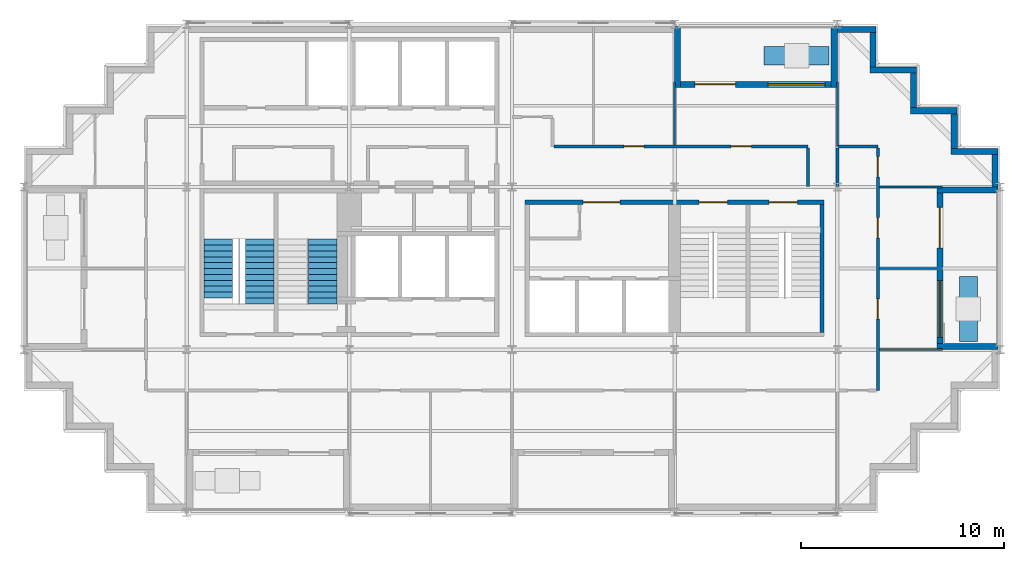
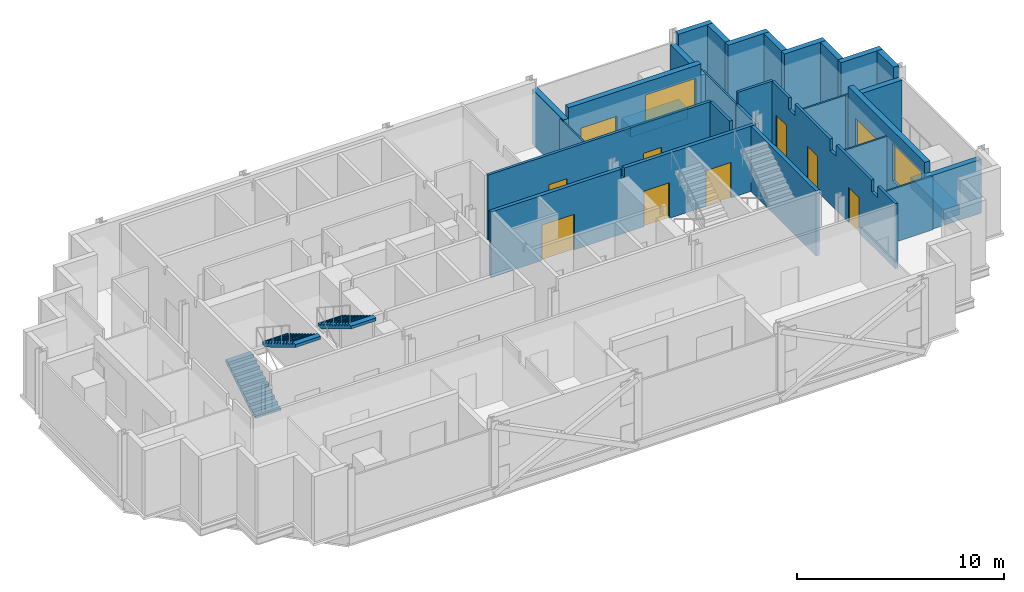
# One storey, part 7 of 10: 28 walls, 10 doors, 3 stair flights, 2 windows, 12 openings, 2 elements without a shape of their own.
"""IFC4 building model written with IfcOpenShell, lengths in metres."""

from ifc_helpers import new_model, si_unit, direction, frame, frame_2d, origin, place, context, subcontext, project, spatial, polyline, rectangle, outline, extrude, material, layer, layer_set, type_object, element, fill, aggregate, save


model = new_model("IFC4")

# Units and contexts
model_context = context("Model", 3, precision=1e-05, world=origin(), true_north=direction((0.0, 1.0)))
body_context = subcontext(model_context, "Body", "Model", "MODEL_VIEW")
ifc_project = project(units=[si_unit("LENGTHUNIT", "METRE"), si_unit("AREAUNIT", "SQUARE_METRE"), si_unit("VOLUMEUNIT", "CUBIC_METRE"), si_unit("PLANEANGLEUNIT", "RADIAN"), si_unit("MASSUNIT", "GRAM", prefix="KILO")], contexts=[model_context])

# Site, building, storey
site_placement = place(None, origin())
site = spatial("IfcSite", under=ifc_project, at=site_placement, CompositionType="ELEMENT")
building_placement = place(site_placement, origin())
building = spatial("IfcBuilding", under=site, at=building_placement, Name="Immortelle Media Tower", CompositionType="ELEMENT")
storey_placement = place(building_placement, frame((0.0, 0.0, 217.0)))
storey = spatial("IfcBuildingStorey", under=building, at=storey_placement, Name="L46", CompositionType="ELEMENT", Elevation=217.0)

# Wall, openings, doors
ifc_material_1 = material(Name="Fire-rated gypsum board", Category="gypsum")
ifc_layer_1 = layer(ifc_material_1, 0.012451171875)
ifc_material_2 = material(Name="Steel ASTM A653 SS Gr 50 stud frame with mineral wool", Category="steel")
ifc_layer_2 = layer(ifc_material_2, 0.125)
ifc_layer_3 = layer(ifc_material_1, 0.012451171875)
ifc_layer_set_1 = layer_set([ifc_layer_1, ifc_layer_2, ifc_layer_3], Name="Steel ASTM A653 SS Gr 50 stud frame with mineral wool")
wall_type_1 = type_object("IfcWallType", Name="Corridor wall 150", PredefinedType="PARTITIONING", material=ifc_layer_set_1)
wall_1_placement = place(storey_placement, frame((42.0, 6.0, 0.0), z_axis=(0.0, 0.0, 1.0), x_axis=(0.0, 1.0, 0.0)))
wall_1 = element("IfcWall", 1, at=wall_1_placement, inside=storey, type_object=wall_type_1, Name="Partition L46-009", PredefinedType="PARTITIONING", context=body_context, shape_type="SweptSolid", body=[
    extrude(outline(polyline([(0.0, 0.0), (11.925048828125, 0.0), (11.925048828125, 3.85009765625), (10.300048828125, 3.85009765625), (10.298095703125, 3.172119140625), (9.701904296875, 3.172119140625), (9.699951171875, 3.85009765625), (6.300048828125, 3.85009765625), (6.298095703125, 3.172119140625), (5.701904296875, 3.172119140625), (5.699951171875, 3.85009765625), (2.300048828125, 3.85009765625), (2.298095703125, 3.172119140625), (1.701904296875, 3.172119140625), (1.699951171875, 3.85009765625), (0.0, 3.85009765625), (0.0, 0.0)])), frame((0.0, 0.074951171875, 0.0), z_axis=(0.0, -1.0, 0.0), x_axis=(1.0, 0.0, 0.0)), (0.0, 0.0, 1.0), 0.14990234375),
])
opening_1_placement = place(wall_1_placement, frame((4.5, 0.0, 0.0), z_axis=(0.0, 0.0, 1.0), x_axis=(-1.0, 0.0, 0.0)))
opening_1 = element("IfcOpeningElement", 2, at=opening_1_placement, cuts=wall_1, Name="Opening O4-F010", PredefinedType="OPENING", context=body_context, shape_type="SweptSolid", body=[
    extrude(rectangle(XDim=1.0, YDim=2.10009765625, at=frame_2d((0.5, 1.050048828125))), frame((0.0, 0.0849609375, 0.0), z_axis=(0.0, -1.0, 0.0), x_axis=(1.0, 0.0, 0.0)), (0.0, 0.0, 1.0), 0.169921875),
])
opening_2_placement = place(wall_1_placement, frame((8.5, 0.0, 0.0), z_axis=(0.0, 0.0, 1.0), x_axis=(-1.0, 0.0, 0.0)))
opening_2 = element("IfcOpeningElement", 3, at=opening_2_placement, cuts=wall_1, Name="Opening O4-F011", PredefinedType="OPENING", context=body_context, shape_type="SweptSolid", body=[
    extrude(rectangle(XDim=1.0, YDim=2.10009765625, at=frame_2d((0.5, 1.050048828125))), frame((0.0, 0.0849609375, 0.0), z_axis=(0.0, -1.0, 0.0), x_axis=(1.0, 0.0, 0.0)), (0.0, 0.0, 1.0), 0.169921875),
])
opening_3_placement = place(wall_1_placement, frame((11.5, 0.0, 0.0), z_axis=(0.0, 0.0, 1.0), x_axis=(-1.0, 0.0, 0.0)))
opening_3 = element("IfcOpeningElement", 4, at=opening_3_placement, cuts=wall_1, Name="Opening O4-F014", PredefinedType="OPENING", context=body_context, shape_type="SweptSolid", body=[
    extrude(rectangle(XDim=1.0, YDim=2.10009765625, at=frame_2d((0.5, 1.050048828125))), frame((0.0, 0.0849609375, 0.0), z_axis=(0.0, -1.0, 0.0), x_axis=(1.0, 0.0, 0.0)), (0.0, 0.0, 1.0), 0.169921875),
])
ifc_material_3 = material(Name="Timber veneered door leaf, galvanised steel frame ASTM A653", Category="steel")
door_type_1 = type_object("IfcDoorType", Name="Room door 1000 x 2100", OperationType="NOTDEFINED", PredefinedType="DOOR", material=ifc_material_3)
door_1_placement = place(opening_1_placement, origin())
door_1 = element("IfcDoor", 5, at=door_1_placement, inside=storey, type_object=door_type_1, Name="Door O4-F010", OperationType="SINGLE_SWING_LEFT", OverallHeight=2.10009765625, OverallWidth=1.0, PredefinedType="DOOR", context=body_context, shape_type="SweptSolid", body=[
    extrude(rectangle(XDim=1.0, YDim=2.10009765625, at=frame_2d((0.5, 1.050048828125))), frame((0.0, 0.02490234375, 0.0), z_axis=(0.0, -1.0, 0.0), x_axis=(1.0, 0.0, 0.0)), (0.0, 0.0, 1.0), 0.050048828125),
])
fill(opening_1, door_1)
door_2_placement = place(opening_2_placement, origin())
door_2 = element("IfcDoor", 6, at=door_2_placement, inside=storey, type_object=door_type_1, Name="Door O4-F011", OperationType="SINGLE_SWING_RIGHT", OverallHeight=2.10009765625, OverallWidth=1.0, PredefinedType="DOOR", context=body_context, shape_type="SweptSolid", body=[
    extrude(rectangle(XDim=1.0, YDim=2.10009765625, at=frame_2d((0.5, 1.050048828125))), frame((0.0, 0.02490234375, 0.0), z_axis=(0.0, -1.0, 0.0), x_axis=(1.0, 0.0, 0.0)), (0.0, 0.0, 1.0), 0.050048828125),
])
fill(opening_2, door_2)
door_3_placement = place(opening_3_placement, origin())
door_3 = element("IfcDoor", 7, at=door_3_placement, inside=storey, type_object=door_type_1, Name="Door O4-F014", OperationType="SINGLE_SWING_RIGHT", OverallHeight=2.10009765625, OverallWidth=1.0, PredefinedType="DOOR", context=body_context, shape_type="SweptSolid", body=[
    extrude(rectangle(XDim=1.0, YDim=2.10009765625, at=frame_2d((0.5, 1.050048828125))), frame((0.0, 0.02490234375, 0.0), z_axis=(0.0, -1.0, 0.0), x_axis=(1.0, 0.0, 0.0)), (0.0, 0.0, 1.0), 0.050048828125),
])
fill(opening_3, door_3)

# Walls
wall_2_placement = place(storey_placement, frame((38.550048828125, 16.030029296875, 0.0), z_axis=(0.0, 0.0, 1.0), x_axis=(0.0, 1.0, 0.0)))
element("IfcWall", 8, at=wall_2_placement, inside=storey, type_object=wall_type_1, Name="Partition L46-018", PredefinedType="PARTITIONING", context=body_context, shape_type="SweptSolid", body=[
    extrude(rectangle(XDim=1.89501953125, YDim=0.14990234375, at=frame_2d((0.947509765625, 0.0))), origin(), (0.0, 0.0, 1.0), 3.85009765625),
])
wall_3_placement = place(storey_placement, frame((40.0, 16.030029296875, 0.0), z_axis=(0.0, 0.0, 1.0), x_axis=(0.0, 1.0, 0.0)))
element("IfcWall", 9, at=wall_3_placement, inside=storey, type_object=wall_type_1, Name="Partition L46-019", PredefinedType="PARTITIONING", context=body_context, shape_type="SweptSolid", body=[
    extrude(rectangle(XDim=1.89501953125, YDim=0.14990234375, at=frame_2d((0.947509765625, 0.0))), origin(), (0.0, 0.0, 1.0), 3.172119140625),
])

# Wall, openings, doors
wall_4_placement = place(storey_placement, frame((26.074951171875, 18.0, 0.0), z_axis=(0.0, 0.0, 1.0), x_axis=(1.0, 0.0, 0.0)))
wall_4 = element("IfcWall", 10, at=wall_4_placement, inside=storey, type_object=wall_type_1, Name="Partition L46-020", PredefinedType="PARTITIONING", context=body_context, shape_type="SweptSolid", body=[
    extrude(rectangle(XDim=12.47509765625, YDim=0.14990234375, at=frame_2d((6.237548828125, 0.0))), origin(), (0.0, 0.0, 1.0), 3.85009765625),
])
opening_4_placement = place(wall_4_placement, frame((8.699951171875, 0.0, 0.0)))
opening_4 = element("IfcOpeningElement", 11, at=opening_4_placement, cuts=wall_4, Name="Opening O4-F015", PredefinedType="OPENING", context=body_context, shape_type="SweptSolid", body=[
    extrude(rectangle(XDim=1.0, YDim=2.10009765625, at=frame_2d((0.5, 1.050048828125))), frame((0.0, 0.0849609375, 0.0), z_axis=(0.0, -1.0, 0.0), x_axis=(1.0, 0.0, 0.0)), (0.0, 0.0, 1.0), 0.169921875),
])
opening_5_placement = place(wall_4_placement, frame((3.425048828125, 0.0, 0.0)))
opening_5 = element("IfcOpeningElement", 12, at=opening_5_placement, cuts=wall_4, Name="Opening O4-F017", PredefinedType="OPENING", context=body_context, shape_type="SweptSolid", body=[
    extrude(rectangle(XDim=1.0, YDim=2.10009765625, at=frame_2d((0.5, 1.050048828125))), frame((0.0, 0.0849609375, 0.0), z_axis=(0.0, -1.0, 0.0), x_axis=(1.0, 0.0, 0.0)), (0.0, 0.0, 1.0), 0.169921875),
])
door_4_placement = place(opening_4_placement, origin())
door_4 = element("IfcDoor", 13, at=door_4_placement, inside=storey, type_object=door_type_1, Name="Door O4-F015", OperationType="SINGLE_SWING_LEFT", OverallHeight=2.10009765625, OverallWidth=1.0, PredefinedType="DOOR", context=body_context, shape_type="SweptSolid", body=[
    extrude(rectangle(XDim=1.0, YDim=2.10009765625, at=frame_2d((0.5, 1.050048828125))), frame((0.0, 0.02490234375, 0.0), z_axis=(0.0, -1.0, 0.0), x_axis=(1.0, 0.0, 0.0)), (0.0, 0.0, 1.0), 0.050048828125),
])
fill(opening_4, door_4)
door_5_placement = place(opening_5_placement, origin())
door_5 = element("IfcDoor", 14, at=door_5_placement, inside=storey, type_object=door_type_1, Name="Door O4-F017", OperationType="SINGLE_SWING_LEFT", OverallHeight=2.10009765625, OverallWidth=1.0, PredefinedType="DOOR", context=body_context, shape_type="SweptSolid", body=[
    extrude(rectangle(XDim=1.0, YDim=2.10009765625, at=frame_2d((0.5, 1.050048828125))), frame((0.0, 0.02490234375, 0.0), z_axis=(0.0, -1.0, 0.0), x_axis=(1.0, 0.0, 0.0)), (0.0, 0.0, 1.0), 0.050048828125),
])
fill(opening_5, door_5)

# Wall
wall_5_placement = place(storey_placement, frame((40.050048828125, 18.0, 0.0), z_axis=(0.0, 0.0, 1.0), x_axis=(1.0, 0.0, 0.0)))
element("IfcWall", 15, at=wall_5_placement, inside=storey, type_object=wall_type_1, Name="Partition L46-024", PredefinedType="PARTITIONING", context=body_context, shape_type="SweptSolid", body=[
    extrude(rectangle(XDim=1.949951171875, YDim=0.14990234375, at=frame_2d((0.97509765625, 0.0))), origin(), (0.0, 0.0, 1.0), 3.85009765625),
])

# Wall, openings, door, window
ifc_material_4 = material(Name="Pale aluminium cladding panel", Category="aluminium")
ifc_layer_4 = layer(ifc_material_4, 0.030029296875)
ifc_layer_5 = layer(ifc_material_2, 0.257568359375)
ifc_material_5 = material(Name="Moisture-resistant gypsum board", Category="gypsum")
ifc_layer_6 = layer(ifc_material_5, 0.012451171875)
ifc_layer_set_2 = layer_set([ifc_layer_4, ifc_layer_5, ifc_layer_6], Name="Steel ASTM A653 SS Gr 50 stud frame with mineral wool")
wall_type_2 = type_object("IfcWallType", Name="Facade wall 300", PredefinedType="SOLIDWALL", material=ifc_layer_set_2)
wall_6_placement = place(storey_placement, frame((45.050048828125, 8.300048828125, 0.0), z_axis=(0.0, 0.0, 1.0), x_axis=(0.0, 1.0, 0.0)))
wall_6 = element("IfcWall", 16, at=wall_6_placement, inside=storey, type_object=wall_type_2, Name="Loggia wall L46 E13", PredefinedType="SOLIDWALL", context=body_context, shape_type="SweptSolid", body=[
    extrude(rectangle(XDim=7.39990234375, YDim=0.300048828125, at=frame_2d((3.699951171875, 0.0))), origin(), (0.0, 0.0, 1.0), 3.85009765625),
])
opening_6_placement = place(wall_6_placement, frame((0.300048828125, 0.0, 0.89990234375)))
opening_6 = element("IfcOpeningElement", 17, at=opening_6_placement, cuts=wall_6, Name="Opening W1", PredefinedType="OPENING", context=body_context, shape_type="SweptSolid", body=[
    extrude(rectangle(XDim=2.800048828125, YDim=2.199951171875, at=frame_2d((1.39990234375, 1.10009765625))), frame((0.0, 0.159912109375, 0.0), z_axis=(0.0, -1.0, 0.0), x_axis=(1.0, 0.0, 0.0)), (0.0, 0.0, 1.0), 0.320068359375),
])
opening_7_placement = place(wall_6_placement, frame((4.699951171875, 0.0, 0.0)))
opening_7 = element("IfcOpeningElement", 18, at=opening_7_placement, cuts=wall_6, Name="Opening O4-E003", PredefinedType="OPENING", context=body_context, shape_type="SweptSolid", body=[
    extrude(rectangle(XDim=2.0, YDim=2.39990234375, at=frame_2d((1.0, 1.199951171875))), frame((0.0, 0.159912109375, 0.0), z_axis=(0.0, -1.0, 0.0), x_axis=(1.0, 0.0, 0.0)), (0.0, 0.0, 1.0), 0.320068359375),
])
ifc_material_6 = material(Name="Aluminium frame, glazed leaves", Category="aluminium")
door_type_2 = type_object("IfcDoorType", Name="Loggia door 2000 x 2400", OperationType="DOUBLE_DOOR_SINGLE_SWING", PredefinedType="DOOR", material=ifc_material_6)
door_6_placement = place(opening_7_placement, origin())
door_6 = element("IfcDoor", 19, at=door_6_placement, inside=storey, type_object=door_type_2, Name="Door O4-E003", OperationType="DOUBLE_DOOR_SINGLE_SWING", OverallHeight=2.39990234375, OverallWidth=2.0, PredefinedType="DOOR", context=body_context, shape_type="SweptSolid", body=[
    extrude(rectangle(XDim=2.0, YDim=2.39990234375, at=frame_2d((1.0, 1.199951171875))), frame((0.0, 0.02490234375, 0.0), z_axis=(0.0, -1.0, 0.0), x_axis=(1.0, 0.0, 0.0)), (0.0, 0.0, 1.0), 0.050048828125),
])
fill(opening_7, door_6)
ifc_material_7 = material(Name="Aluminium frame", Category="aluminium")
window_type = type_object("IfcWindowType", Name="Window 2800 x 2200", PartitioningType="SINGLE_PANEL", PredefinedType="WINDOW", material=ifc_material_7)
window_1_placement = place(opening_6_placement, origin())
window_1 = element("IfcWindow", 20, at=window_1_placement, inside=storey, type_object=window_type, Name="Window L46 L46-R13-B0", OverallHeight=2.199951171875, OverallWidth=2.800048828125, PartitioningType="SINGLE_PANEL", PredefinedType="WINDOW", context=body_context, shape_type="SweptSolid", body=[
    extrude(rectangle(XDim=2.800048828125, YDim=2.199951171875, at=frame_2d((1.39990234375, 1.10009765625))), frame((0.0, 0.030029296875, 0.0), z_axis=(0.0, -1.0, 0.0), x_axis=(1.0, 0.0, 0.0)), (0.0, 0.0, 1.0), 0.06005859375),
])
fill(opening_6, window_1)

# Walls
for number, where, z_axis, x_axis, name in (
    (21, (47.89990234375, 8.14990234375, 0.0), (0.0, 0.0, 1.0), (-1.0, 0.0, 0.0), "Loggia cheek wall L46 E"),
    (22, (47.89990234375, 15.85009765625, 0.0), (0.0, 0.0, 1.0), (-1.0, 0.0, 0.0), "Loggia cheek wall L46 E"),
):
    element("IfcWall", number, at=place(storey_placement, frame(where, z_axis=z_axis, x_axis=x_axis)), inside=storey, type_object=wall_type_2, Name=name, PredefinedType="SOLIDWALL", context=body_context, shape_type="SweptSolid", body=[
        extrude(rectangle(XDim=3.0, YDim=0.300048828125, at=frame_2d((1.5, 0.0))), origin(), (0.0, 0.0, 1.0), 3.1708984375),
    ])
wall_7_placement = place(storey_placement, frame((47.75, 16.0, 0.0), z_axis=(0.0, 0.0, 1.0), x_axis=(0.0, 1.0, 0.0)))
element("IfcWall", 23, at=wall_7_placement, inside=storey, type_object=wall_type_2, Name="Facade wall L46 E13", PredefinedType="SOLIDWALL", context=body_context, shape_type="SweptSolid", body=[
    extrude(rectangle(XDim=1.60009765625, YDim=0.300048828125, at=frame_2d((0.800048828125, 0.0))), origin(), (0.0, 0.0, 1.0), 3.85009765625),
])
wall_8_placement = place(storey_placement, frame((47.89990234375, 17.75, 0.0), z_axis=(0.0, 0.0, 1.0), x_axis=(-1.0, 0.0, 0.0)))
element("IfcWall", 24, at=wall_8_placement, inside=storey, type_object=wall_type_2, Name="Facade wall L46 N14", PredefinedType="SOLIDWALL", context=body_context, shape_type="SweptSolid", body=[
    extrude(rectangle(XDim=2.2998046875, YDim=0.300048828125, at=frame_2d((1.14990234375, 0.0))), origin(), (0.0, 0.0, 1.0), 3.85009765625),
])
wall_9_placement = place(storey_placement, frame((45.75, 17.89990234375, 0.0), z_axis=(0.0, 0.0, 1.0), x_axis=(0.0, 1.0, 0.0)))
element("IfcWall", 25, at=wall_9_placement, inside=storey, type_object=wall_type_2, Name="Facade wall L46 E15", PredefinedType="SOLIDWALL", context=body_context, shape_type="SweptSolid", body=[
    extrude(rectangle(XDim=1.7001953125, YDim=0.300048828125, at=frame_2d((0.85009765625, 0.0))), origin(), (0.0, 0.0, 1.0), 3.85009765625),
])
wall_10_placement = place(storey_placement, frame((45.89990234375, 19.75, 0.0), z_axis=(0.0, 0.0, 1.0), x_axis=(-1.0, 0.0, 0.0)))
element("IfcWall", 26, at=wall_10_placement, inside=storey, type_object=wall_type_2, Name="Facade wall L46 N16", PredefinedType="SOLIDWALL", context=body_context, shape_type="SweptSolid", body=[
    extrude(rectangle(XDim=2.2998046875, YDim=0.300048828125, at=frame_2d((1.14990234375, 0.0))), origin(), (0.0, 0.0, 1.0), 3.85009765625),
])
wall_11_placement = place(storey_placement, frame((43.75, 19.89990234375, 0.0), z_axis=(0.0, 0.0, 1.0), x_axis=(0.0, 1.0, 0.0)))
element("IfcWall", 27, at=wall_11_placement, inside=storey, type_object=wall_type_2, Name="Facade wall L46 E17", PredefinedType="SOLIDWALL", context=body_context, shape_type="SweptSolid", body=[
    extrude(rectangle(XDim=1.7001953125, YDim=0.300048828125, at=frame_2d((0.85009765625, 0.0))), origin(), (0.0, 0.0, 1.0), 3.85009765625),
])
wall_12_placement = place(storey_placement, frame((43.89990234375, 21.75, 0.0), z_axis=(0.0, 0.0, 1.0), x_axis=(-1.0, 0.0, 0.0)))
element("IfcWall", 28, at=wall_12_placement, inside=storey, type_object=wall_type_2, Name="Facade wall L46 N18", PredefinedType="SOLIDWALL", context=body_context, shape_type="SweptSolid", body=[
    extrude(rectangle(XDim=2.2998046875, YDim=0.300048828125, at=frame_2d((1.14990234375, 0.0))), origin(), (0.0, 0.0, 1.0), 3.85009765625),
])
wall_13_placement = place(storey_placement, frame((41.75, 21.89990234375, 0.0), z_axis=(0.0, 0.0, 1.0), x_axis=(0.0, 1.0, 0.0)))
element("IfcWall", 29, at=wall_13_placement, inside=storey, type_object=wall_type_2, Name="Facade wall L46 E19", PredefinedType="SOLIDWALL", context=body_context, shape_type="SweptSolid", body=[
    extrude(rectangle(XDim=1.7001953125, YDim=0.300048828125, at=frame_2d((0.85009765625, 0.0))), origin(), (0.0, 0.0, 1.0), 3.85009765625),
])
wall_14_placement = place(storey_placement, frame((41.89990234375, 23.75, 0.0), z_axis=(0.0, 0.0, 1.0), x_axis=(-1.0, 0.0, 0.0)))
element("IfcWall", 30, at=wall_14_placement, inside=storey, type_object=wall_type_2, Name="Facade wall L46 N20", PredefinedType="SOLIDWALL", context=body_context, shape_type="SweptSolid", body=[
    extrude(rectangle(XDim=1.89990234375, YDim=0.300048828125, at=frame_2d((0.949951171875, 0.0))), origin(), (0.0, 0.0, 1.0), 3.85009765625),
])

# Wall, openings, door, window
wall_15_placement = place(storey_placement, frame((39.699951171875, 21.050048828125, 0.0), z_axis=(0.0, 0.0, 1.0), x_axis=(-1.0, 0.0, 0.0)))
wall_15 = element("IfcWall", 31, at=wall_15_placement, inside=storey, type_object=wall_type_2, Name="Loggia wall L46 N20", PredefinedType="SOLIDWALL", context=body_context, shape_type="SweptSolid", body=[
    extrude(rectangle(XDim=7.39990234375, YDim=0.300048828125, at=frame_2d((3.699951171875, 0.0))), origin(), (0.0, 0.0, 1.0), 3.85009765625),
])
opening_8_placement = place(wall_15_placement, frame((0.300048828125, 0.0, 0.89990234375)))
opening_8 = element("IfcOpeningElement", 32, at=opening_8_placement, cuts=wall_15, Name="Opening W1", PredefinedType="OPENING", context=body_context, shape_type="SweptSolid", body=[
    extrude(rectangle(XDim=2.800048828125, YDim=2.199951171875, at=frame_2d((1.39990234375, 1.10009765625))), frame((0.0, 0.159912109375, 0.0), z_axis=(0.0, -1.0, 0.0), x_axis=(1.0, 0.0, 0.0)), (0.0, 0.0, 1.0), 0.320068359375),
])
opening_9_placement = place(wall_15_placement, frame((4.699951171875, 0.0, 0.0)))
opening_9 = element("IfcOpeningElement", 33, at=opening_9_placement, cuts=wall_15, Name="Opening O4-E004", PredefinedType="OPENING", context=body_context, shape_type="SweptSolid", body=[
    extrude(rectangle(XDim=2.0, YDim=2.39990234375, at=frame_2d((1.0, 1.199951171875))), frame((0.0, 0.159912109375, 0.0), z_axis=(0.0, -1.0, 0.0), x_axis=(1.0, 0.0, 0.0)), (0.0, 0.0, 1.0), 0.320068359375),
])
door_7_placement = place(opening_9_placement, origin())
door_7 = element("IfcDoor", 34, at=door_7_placement, inside=storey, type_object=door_type_2, Name="Door O4-E004", OperationType="DOUBLE_DOOR_SINGLE_SWING", OverallHeight=2.39990234375, OverallWidth=2.0, PredefinedType="DOOR", context=body_context, shape_type="SweptSolid", body=[
    extrude(rectangle(XDim=2.0, YDim=2.39990234375, at=frame_2d((1.0, 1.199951171875))), frame((0.0, 0.02490234375, 0.0), z_axis=(0.0, -1.0, 0.0), x_axis=(1.0, 0.0, 0.0)), (0.0, 0.0, 1.0), 0.050048828125),
])
fill(opening_9, door_7)
window_2_placement = place(opening_8_placement, origin())
window_2 = element("IfcWindow", 35, at=window_2_placement, inside=storey, type_object=window_type, Name="Window L46 L46-R20-B0", OverallHeight=2.199951171875, OverallWidth=2.800048828125, PartitioningType="SINGLE_PANEL", PredefinedType="WINDOW", context=body_context, shape_type="SweptSolid", body=[
    extrude(rectangle(XDim=2.800048828125, YDim=2.199951171875, at=frame_2d((1.39990234375, 1.10009765625))), frame((0.0, 0.030029296875, 0.0), z_axis=(0.0, -1.0, 0.0), x_axis=(1.0, 0.0, 0.0)), (0.0, 0.0, 1.0), 0.06005859375),
])
fill(opening_8, window_2)

# Walls
wall_16_placement = place(storey_placement, frame((39.85009765625, 23.89990234375, 0.0), z_axis=(0.0, 0.0, 1.0), x_axis=(0.0, -1.0, 0.0)))
element("IfcWall", 36, at=wall_16_placement, inside=storey, type_object=wall_type_2, Name="Loggia cheek wall L46 N", PredefinedType="SOLIDWALL", context=body_context, shape_type="SweptSolid", body=[
    extrude(rectangle(XDim=3.0, YDim=0.300048828125, at=frame_2d((1.5, 0.0))), origin(), (0.0, 0.0, 1.0), 3.1708984375),
])
wall_17_placement = place(storey_placement, frame((32.14990234375, 23.89990234375, 0.0), z_axis=(0.0, 0.0, 1.0), x_axis=(0.0, -1.0, 0.0)))
element("IfcWall", 37, at=wall_17_placement, inside=storey, type_object=wall_type_2, Name="Loggia cheek wall L46 N", PredefinedType="SOLIDWALL", context=body_context, shape_type="SweptSolid", body=[
    extrude(rectangle(XDim=3.0, YDim=0.300048828125, at=frame_2d((1.5, 0.0))), origin(), (0.0, 0.0, 1.0), 3.237060546875),
])
ifc_material_8 = material(Name="Gypsum board", Category="gypsum")
ifc_layer_7 = layer(ifc_material_8, 0.012451171875)
ifc_layer_8 = layer(ifc_material_2, 0.074951171875)
ifc_layer_9 = layer(ifc_material_8, 0.012451171875)
ifc_layer_set_3 = layer_set([ifc_layer_7, ifc_layer_8, ifc_layer_9], Name="Steel ASTM A653 SS Gr 50 stud frame with mineral wool")
wall_type_3 = type_object("IfcWallType", Name="Partition 100", PredefinedType="PARTITIONING", material=ifc_layer_set_3)
for number, where, z_axis, x_axis, name in (
    (38, (42.074951171875, 8.0, 0.0), (0.0, 0.0, 1.0), (1.0, 0.0, 0.0), "Partition L46-011"),
    (39, (42.074951171875, 12.0, 0.0), (0.0, 0.0, 1.0), (1.0, 0.0, 0.0), "Partition L46-013"),
    (40, (42.074951171875, 16.0, 0.0), (0.0, 0.0, 1.0), (1.0, 0.0, 0.0), "Partition L46-017"),
    (41, (32.0, 18.074951171875, 0.0), (0.0, 0.0, 1.0), (0.0, 1.0, 0.0), "Partition L46-023"),
):
    element("IfcWall", number, at=place(storey_placement, frame(where, z_axis=z_axis, x_axis=x_axis)), inside=storey, type_object=wall_type_3, Name=name, PredefinedType="PARTITIONING", context=body_context, shape_type="SweptSolid", body=[
        extrude(rectangle(XDim=3.094970703125, YDim=0.10009765625, at=frame_2d((1.54736328125, 0.0))), origin(), (0.0, 0.0, 1.0), 3.172119140625),
    ])
wall_18_placement = place(storey_placement, frame((40.0, 18.0, 0.0), z_axis=(0.0, 0.0, 1.0), x_axis=(0.0, 1.0, 0.0)))
element("IfcWall", 42, at=wall_18_placement, inside=storey, type_object=wall_type_3, Name="Partition L46-025", PredefinedType="PARTITIONING", context=body_context, shape_type="SweptSolid", body=[
    extrude(rectangle(XDim=3.169921875, YDim=0.10009765625, at=frame_2d((1.5849609375, 0.0))), origin(), (0.0, 0.0, 1.0), 3.172119140625),
])
ifc_layer_10 = layer(ifc_material_4, 0.0029296875)
ifc_material_9 = material(Name="Steel ASTM A572 Gr 50 planter shell", Category="steel")
ifc_layer_11 = layer(ifc_material_9, 0.011962890625)
ifc_material_10 = material(Name="Planting substrate", Category="soil")
ifc_layer_12 = layer(ifc_material_10, 0.873046875)
ifc_layer_13 = layer(ifc_material_9, 0.011962890625)
ifc_layer_set_4 = layer_set([ifc_layer_10, ifc_layer_11, ifc_layer_12, ifc_layer_13], Name="Steel ASTM A572 Gr 50 planter shell")
wall_type_4 = type_object("IfcWallType", Name="Planter wall 900", PredefinedType="SOLIDWALL", material=ifc_layer_set_4)
for number, where, z_axis, x_axis, name in (
    (43, (46.449951171875, 8.39990234375, 0.0), (0.0, 0.0, 1.0), (0.0, 1.0, 0.0), "Planter L46 E0"),
    (44, (39.60009765625, 22.449951171875, 0.0), (0.0, 0.0, 1.0), (-1.0, 0.0, 0.0), "Planter L46 N0"),
):
    element("IfcWall", number, at=place(storey_placement, frame(where, z_axis=z_axis, x_axis=x_axis)), inside=storey, type_object=wall_type_4, Name=name, PredefinedType="SOLIDWALL", context=body_context, shape_type="SweptSolid", body=[
        extrude(rectangle(XDim=3.2001953125, YDim=0.89990234375, at=frame_2d((1.60009765625, 0.0))), origin(), (0.0, 0.0, 1.0), 0.60009765625),
    ])

# Wall, openings, doors
ifc_material_11 = material(Name="Concrete C60", Category="concrete")
ifc_layer_14 = layer(ifc_material_11, 0.199951171875)
ifc_layer_set_5 = layer_set([ifc_layer_14], Name="Concrete C60")
wall_type_5 = type_object("IfcWallType", Name="Stair shaft wall 200", PredefinedType="PARTITIONING", material=ifc_layer_set_5)
wall_19_placement = place(storey_placement, frame((24.64990234375, 15.25, 0.0), z_axis=(0.0, 0.0, 1.0), x_axis=(1.0, 0.0, 0.0)))
wall_19 = element("IfcWall", 45, at=wall_19_placement, inside=storey, type_object=wall_type_5, Name="Stair shaft wall SE", PredefinedType="PARTITIONING", context=body_context, shape_type="SweptSolid", body=[
    extrude(outline(polyline([(0.0, 0.0), (14.7001953125, 0.0), (14.699951171875, 3.85009765625), (7.4384765625, 3.85009765625), (7.4375, 3.30810546875), (7.262451171875, 3.30810546875), (7.261474609375, 3.85009765625), (0.0, 3.85009765625), (0.0, 0.0)])), frame((0.0, 0.10009765625, 0.0), z_axis=(0.0, -1.0, 0.0), x_axis=(1.0, 0.0, 0.0)), (0.0, 0.0, 1.0), 0.199951171875),
])
opening_10_placement = place(wall_19_placement, frame((2.85009765625, 0.0, 0.0)))
opening_10 = element("IfcOpeningElement", 46, at=opening_10_placement, cuts=wall_19, Name="Opening O4-K023", PredefinedType="OPENING", context=body_context, shape_type="SweptSolid", body=[
    extrude(rectangle(XDim=1.800048828125, YDim=2.10009765625, at=frame_2d((0.89990234375, 1.050048828125))), frame((0.0, 0.10986328125, 0.0), z_axis=(0.0, -1.0, 0.0), x_axis=(1.0, 0.0, 0.0)), (0.0, 0.0, 1.0), 0.219970703125),
])
opening_11_placement = place(wall_19_placement, frame((9.949951171875, 0.0, 0.0), z_axis=(0.0, 0.0, 1.0), x_axis=(-1.0, 0.0, 0.0)))
opening_11 = element("IfcOpeningElement", 47, at=opening_11_placement, cuts=wall_19, Name="Opening O4-K025", PredefinedType="OPENING", context=body_context, shape_type="SweptSolid", body=[
    extrude(rectangle(XDim=1.39990234375, YDim=2.10009765625, at=frame_2d((0.699951171875, 1.050048828125))), frame((0.0, 0.10986328125, 0.0), z_axis=(0.0, -1.0, 0.0), x_axis=(1.0, 0.0, 0.0)), (0.0, 0.0, 1.0), 0.219970703125),
])
opening_12_placement = place(wall_19_placement, frame((13.39990234375, 0.0, 0.0), z_axis=(0.0, 0.0, 1.0), x_axis=(-1.0, 0.0, 0.0)))
opening_12 = element("IfcOpeningElement", 48, at=opening_12_placement, cuts=wall_19, Name="Opening O4-K026", PredefinedType="OPENING", context=body_context, shape_type="SweptSolid", body=[
    extrude(rectangle(XDim=1.39990234375, YDim=2.10009765625, at=frame_2d((0.699951171875, 1.050048828125))), frame((0.0, 0.10986328125, 0.0), z_axis=(0.0, -1.0, 0.0), x_axis=(1.0, 0.0, 0.0)), (0.0, 0.0, 1.0), 0.219970703125),
])
ifc_material_12 = material(Name="Galvanised steel door leaf and frame ASTM A653", Category="steel")
door_type_3 = type_object("IfcDoorType", Name="Lift lobby door 1800 x 2100", OperationType="DOUBLE_DOOR_SINGLE_SWING", PredefinedType="NOTDEFINED", material=ifc_material_12)
door_8_placement = place(opening_10_placement, origin())
door_8 = element("IfcDoor", 49, at=door_8_placement, inside=storey, type_object=door_type_3, Name="Lift lobby O4-K023", OperationType="DOUBLE_DOOR_SINGLE_SWING", OverallHeight=2.10009765625, OverallWidth=1.800048828125, PredefinedType="NOTDEFINED", context=body_context, shape_type="SweptSolid", body=[
    extrude(rectangle(XDim=1.800048828125, YDim=2.10009765625, at=frame_2d((0.89990234375, 1.050048828125))), frame((0.0, 0.02490234375, 0.0), z_axis=(0.0, -1.0, 0.0), x_axis=(1.0, 0.0, 0.0)), (0.0, 0.0, 1.0), 0.050048828125),
])
fill(opening_10, door_8)
door_type_4 = type_object("IfcDoorType", Name="Stair door 1400 x 2100", OperationType="DOUBLE_DOOR_SINGLE_SWING", PredefinedType="NOTDEFINED", material=ifc_material_12)
door_9_placement = place(opening_11_placement, origin())
door_9 = element("IfcDoor", 50, at=door_9_placement, inside=storey, type_object=door_type_4, Name="Stair O4-K025", OperationType="DOUBLE_DOOR_SINGLE_SWING", OverallHeight=2.10009765625, OverallWidth=1.39990234375, PredefinedType="NOTDEFINED", context=body_context, shape_type="SweptSolid", body=[
    extrude(rectangle(XDim=1.39990234375, YDim=2.10009765625, at=frame_2d((0.699951171875, 1.050048828125))), frame((0.0, 0.02490234375, 0.0), z_axis=(0.0, -1.0, 0.0), x_axis=(1.0, 0.0, 0.0)), (0.0, 0.0, 1.0), 0.050048828125),
])
fill(opening_11, door_9)
door_10_placement = place(opening_12_placement, origin())
door_10 = element("IfcDoor", 51, at=door_10_placement, inside=storey, type_object=door_type_4, Name="Stair O4-K026", OperationType="DOUBLE_DOOR_SINGLE_SWING", OverallHeight=2.10009765625, OverallWidth=1.39990234375, PredefinedType="NOTDEFINED", context=body_context, shape_type="SweptSolid", body=[
    extrude(rectangle(XDim=1.39990234375, YDim=2.10009765625, at=frame_2d((0.699951171875, 1.050048828125))), frame((0.0, 0.02490234375, 0.0), z_axis=(0.0, -1.0, 0.0), x_axis=(1.0, 0.0, 0.0)), (0.0, 0.0, 1.0), 0.050048828125),
])
fill(opening_12, door_10)

# Wall
wall_20_placement = place(storey_placement, frame((39.25, 8.85009765625, 0.0), z_axis=(0.0, 0.0, 1.0), x_axis=(0.0, 1.0, 0.0)))
element("IfcWall", 52, at=wall_20_placement, inside=storey, type_object=wall_type_5, Name="Stair shaft wall SE", PredefinedType="PARTITIONING", context=body_context, shape_type="SweptSolid", body=[
    extrude(rectangle(XDim=6.2998046875, YDim=0.199951171875, at=frame_2d((3.14990234375, 0.0))), origin(), (0.0, 0.0, 1.0), 3.85009765625),
])

# Stair, stair flights
ifc_material_13 = material(Name="Steel ASTM A992 Gr 50", Category="steel")
stair_type = type_object("IfcStairType", Name="Stair with flights", PredefinedType="DOUBLE_RETURN_STAIR", material=ifc_material_13)
stair_1_placement = place(storey_placement, origin())
stair_1 = element("IfcStair", 53, at=stair_1_placement, inside=storey, type_object=stair_type, Name="Exit stair SW1", PredefinedType="DOUBLE_RETURN_STAIR")
stair_flight_type = type_object("IfcStairFlightType", Name="Stair flight 1400", PredefinedType="STRAIGHT", material=ifc_material_13)
stair_flight_1_placement = place(storey_placement, frame((9.550048828125, 10.5400390625, 0.0), z_axis=(0.0, 0.0, 1.0), x_axis=(0.0, 1.0, 0.0)))
stair_flight_1 = element("IfcStairFlight", 54, at=stair_flight_1_placement, type_object=stair_flight_type, Name="ST SW1 flight 1", NumberOfRisers=11, NumberOfTreads=10, PredefinedType="STRAIGHT", RiserHeight=0.173913043, TreadLength=0.29, context=body_context, shape_type="SweptSolid", body=[
    extrude(outline(polyline([(0.0, 0.0), (0.0, 0.173828125), (0.2900390625, 0.173828125), (0.2900390625, 0.347900390625), (0.580078125, 0.347900390625), (0.580078125, 0.521728515625), (0.8701171875, 0.521728515625), (0.8701171875, 0.695556640625), (1.159912109375, 0.695556640625), (1.159912109375, 0.86962890625), (1.449951171875, 0.86962890625), (1.449951171875, 1.04345703125), (1.739990234375, 1.04345703125), (1.739990234375, 1.21728515625), (2.030029296875, 1.21728515625), (2.030029296875, 1.391357421875), (2.320068359375, 1.391357421875), (2.320068359375, 1.565185546875), (2.610107421875, 1.565185546875), (2.610107421875, 1.739013671875), (2.89990234375, 1.739013671875), (2.89990234375, 1.9130859375), (2.89990234375, 1.564453125), (0.29150390625, 0.0), (0.0, 0.0)])), frame((0.0, 0.699951171875, 0.0), z_axis=(0.0, -1.0, 0.0), x_axis=(1.0, 0.0, 0.0)), (0.0, 0.0, 1.0), 1.39990234375),
])
stair_flight_2_placement = place(storey_placement, frame((11.60009765625, 13.43994140625, 1.9130859375), z_axis=(0.0, 0.0, 1.0), x_axis=(0.0, -1.0, 0.0)))
stair_flight_2 = element("IfcStairFlight", 55, at=stair_flight_2_placement, type_object=stair_flight_type, Name="ST SW1 flight 2", NumberOfRisers=12, NumberOfTreads=11, PredefinedType="STRAIGHT", RiserHeight=0.173913043, TreadLength=0.29, context=body_context, shape_type="SweptSolid", body=[
    extrude(outline(polyline([(0.0, 0.0), (0.0, 0.173828125), (0.2900390625, 0.173828125), (0.2900390625, 0.347900390625), (0.580078125, 0.347900390625), (0.580078125, 0.521728515625), (0.8701171875, 0.521728515625), (0.8701171875, 0.695556640625), (1.159912109375, 0.695556640625), (1.159912109375, 0.86962890625), (1.449951171875, 0.86962890625), (1.449951171875, 1.04345703125), (1.739990234375, 1.04345703125), (1.739990234375, 1.21728515625), (2.030029296875, 1.21728515625), (2.030029296875, 1.391357421875), (2.320068359375, 1.391357421875), (2.320068359375, 1.565185546875), (2.610107421875, 1.565185546875), (2.610107421875, 1.739013671875), (2.89990234375, 1.739013671875), (2.89990234375, 1.9130859375), (3.18994140625, 1.9130859375), (3.18994140625, 2.0869140625), (3.18994140625, 1.73828125), (0.29150390625, 0.0), (0.0, 0.0)])), frame((0.0, 0.699951171875, 0.0), z_axis=(0.0, -1.0, 0.0), x_axis=(1.0, 0.0, 0.0)), (0.0, 0.0, 1.0), 1.39990234375),
])
aggregate(stair_1, [stair_flight_1, stair_flight_2])

# Stair, stair flight
stair_2_placement = place(storey_placement, origin())
stair_2 = element("IfcStair", 56, at=stair_2_placement, inside=storey, type_object=stair_type, Name="Exit stair SW2", PredefinedType="DOUBLE_RETURN_STAIR")
stair_flight_3_placement = place(storey_placement, frame((14.699951171875, 13.43994140625, 1.9130859375), z_axis=(0.0, 0.0, 1.0), x_axis=(0.0, -1.0, 0.0)))
stair_flight_3 = element("IfcStairFlight", 57, at=stair_flight_3_placement, type_object=stair_flight_type, Name="ST SW2 flight 2", NumberOfRisers=12, NumberOfTreads=11, PredefinedType="STRAIGHT", RiserHeight=0.173913043, TreadLength=0.29, context=body_context, shape_type="SweptSolid", body=[
    extrude(outline(polyline([(0.0, 0.0), (0.0, 0.173828125), (0.2900390625, 0.173828125), (0.2900390625, 0.347900390625), (0.580078125, 0.347900390625), (0.580078125, 0.521728515625), (0.8701171875, 0.521728515625), (0.8701171875, 0.695556640625), (1.159912109375, 0.695556640625), (1.159912109375, 0.86962890625), (1.449951171875, 0.86962890625), (1.449951171875, 1.04345703125), (1.739990234375, 1.04345703125), (1.739990234375, 1.21728515625), (2.030029296875, 1.21728515625), (2.030029296875, 1.391357421875), (2.320068359375, 1.391357421875), (2.320068359375, 1.565185546875), (2.610107421875, 1.565185546875), (2.610107421875, 1.739013671875), (2.89990234375, 1.739013671875), (2.89990234375, 1.9130859375), (3.18994140625, 1.9130859375), (3.18994140625, 2.0869140625), (3.18994140625, 1.73828125), (0.29150390625, 0.0), (0.0, 0.0)])), frame((0.0, 0.699951171875, 0.0), z_axis=(0.0, -1.0, 0.0), x_axis=(1.0, 0.0, 0.0)), (0.0, 0.0, 1.0), 1.39990234375),
])
aggregate(stair_2, [stair_flight_3])

save(model, "model.ifc")
